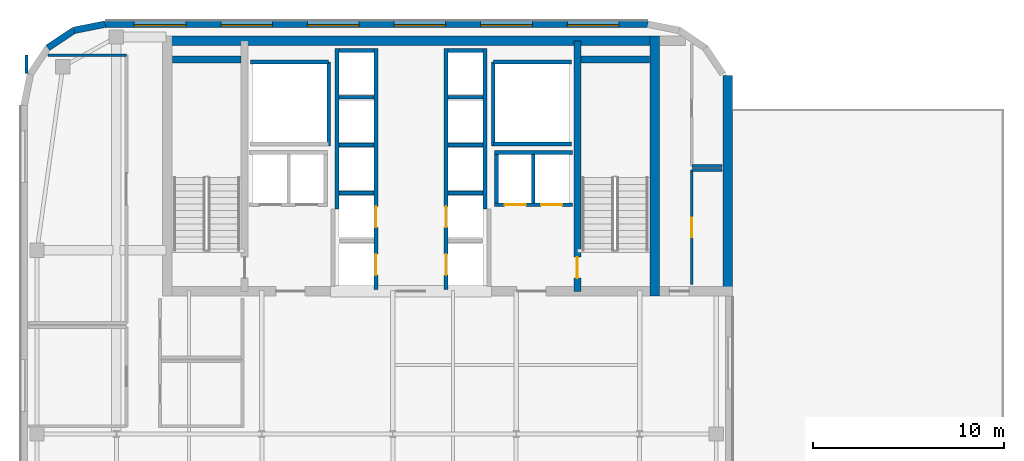
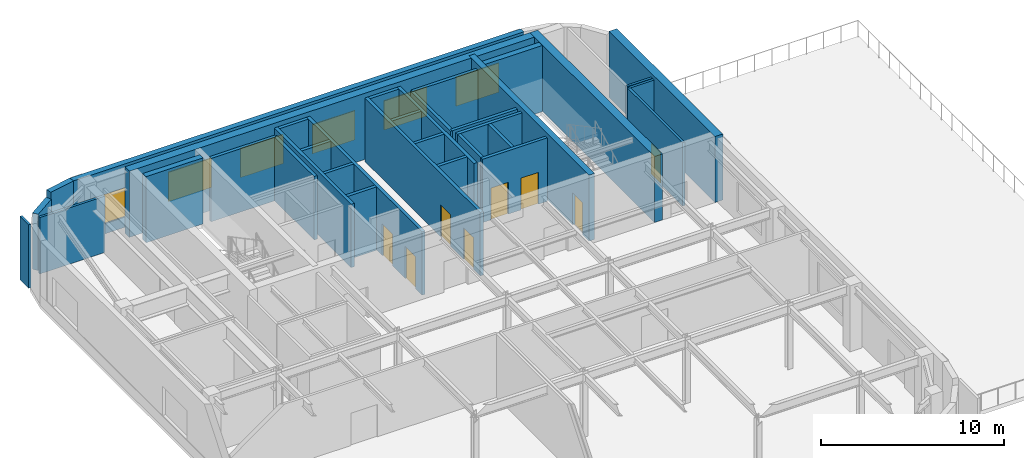
# One storey, part 5 of 10: 35 walls, 8 doors, 6 windows, 14 openings.
"""IFC4 building model written with IfcOpenShell, lengths in metres."""

from ifc_helpers import new_model, si_unit, direction, frame, frame_2d, origin, place, context, subcontext, project, spatial, rectangle, extrude, source, transform, mapped, material, layer, layer_set, type_object, type_shapes, element, fill, save


model = new_model("IFC4")

# Units and contexts
model_context = context("Model", 3, precision=1e-05, world=origin(), true_north=direction((0.0, 1.0)))
body_context = subcontext(model_context, "Body", "Model", "MODEL_VIEW")
ifc_project = project(units=[si_unit("LENGTHUNIT", "METRE"), si_unit("AREAUNIT", "SQUARE_METRE"), si_unit("VOLUMEUNIT", "CUBIC_METRE"), si_unit("PLANEANGLEUNIT", "RADIAN"), si_unit("MASSUNIT", "GRAM", prefix="KILO")], contexts=[model_context])

# Site, building, storey
site_placement = place(None, origin())
site = spatial("IfcSite", under=ifc_project, at=site_placement, CompositionType="ELEMENT")
building_placement = place(site_placement, origin())
building = spatial("IfcBuilding", under=site, at=building_placement, Name="Tolvann Quenvar Hotel", CompositionType="ELEMENT")
storey_placement = place(building_placement, frame((0.0, 0.0, 205.300048828125)))
storey = spatial("IfcBuildingStorey", under=building, at=storey_placement, Name="L54", CompositionType="ELEMENT", Elevation=205.300048828125)

# Walls
ifc_material_1 = material(Name="Concrete N50 (50 MPa)", Category="concrete")
ifc_layer_1 = layer(ifc_material_1, 0.5)
ifc_layer_set_1 = layer_set([ifc_layer_1], Name="Concrete N50 (50 MPa)")
wall_type_1 = type_object("IfcWallType", Name="WALL_CORE_500", PredefinedType="SHEAR", material=ifc_layer_set_1)
wall_1_placement = place(storey_placement, frame((10.0, 44.949951171875, 0.0), z_axis=(0.0, 0.0, 1.0), x_axis=(1.0, 0.0, 0.0)))
element("IfcWall", 1, at=wall_1_placement, inside=storey, type_object=wall_type_1, Name="Rear Core N Shear Wall (L54)", PredefinedType="SHEAR", context=body_context, shape_type="SweptSolid", body=[
    extrude(rectangle(XDim=26.0, YDim=0.5, at=frame_2d((13.0, 0.0))), origin(), (0.0, 0.0, 1.0), 4.39990234375),
])
wall_2_placement = place(storey_placement, frame((35.75, 31.60009765625, 0.0), z_axis=(0.0, 0.0, 1.0), x_axis=(0.0, 1.0, 0.0)))
element("IfcWall", 2, at=wall_2_placement, inside=storey, type_object=wall_type_1, Name="Rear Core E Shear Wall (L54)", PredefinedType="SHEAR", context=body_context, shape_type="SweptSolid", body=[
    extrude(rectangle(XDim=13.599853515625, YDim=0.5, at=frame_2d((6.7998046875, 0.0))), origin(), (0.0, 0.0, 1.0), 4.39990234375),
])
wall_3_placement = place(storey_placement, frame((39.550048828125, 31.60009765625, 0.0), z_axis=(0.0, 0.0, 1.0), x_axis=(0.0, 1.0, 0.0)))
element("IfcWall", 3, at=wall_3_placement, inside=storey, type_object=wall_type_1, Name="Core East Annex Shear Wall ANN-E (L54)", PredefinedType="SHEAR", context=body_context, shape_type="SweptSolid", body=[
    extrude(rectangle(XDim=11.5498046875, YDim=0.5, at=frame_2d((5.77490234375, 0.0))), origin(), (0.0, 0.0, 1.0), 4.39990234375),
])

# Wall, opening, door
ifc_material_2 = material(Name="Concrete S65 (65 MPa)", Category="concrete")
ifc_layer_2 = layer(ifc_material_2, 0.35009765625)
ifc_layer_set_2 = layer_set([ifc_layer_2], Name="Concrete S65 (65 MPa)")
wall_type_2 = type_object("IfcWallType", Name="WALL_CORE_INT_350", PredefinedType="SHEAR", material=ifc_layer_set_2)
wall_4_placement = place(storey_placement, frame((31.699951171875, 31.85009765625, 0.0), z_axis=(0.0, 0.0, 1.0), x_axis=(0.0, 1.0, 0.0)))
wall_4 = element("IfcWall", 4, at=wall_4_placement, inside=storey, type_object=wall_type_2, Name="Core Internal Web Shear Wall WEB-E (L54)", PredefinedType="SHEAR", context=body_context, shape_type="SweptSolid", body=[
    extrude(rectangle(XDim=13.099853515625, YDim=0.35009765625, at=frame_2d((6.5498046875, 0.0))), origin(), (0.0, 0.0, 1.0), 4.39990234375),
])
opening_1_placement = place(wall_4_placement, frame((1.800048828125, 0.0, 0.0), z_axis=(0.0, 0.0, 1.0), x_axis=(-1.0, 0.0, 0.0)))
opening_1 = element("IfcOpeningElement", 5, at=opening_1_placement, cuts=wall_4, Name="Opening FD-120", PredefinedType="OPENING", context=body_context, shape_type="SweptSolid", body=[
    extrude(rectangle(XDim=1.10009765625, YDim=2.1201171875, at=frame_2d((0.550048828125, 1.06005859375))), frame((0.0, 0.18505859375, 0.0), z_axis=(0.0, -1.0, 0.0), x_axis=(1.0, 0.0, 0.0)), (0.0, 0.0, 1.0), 0.3701171875),
])
ifc_material_3 = material(Name="Pressed galvanised steel fire-rated door set", Category="steel")
door_type_1 = type_object("IfcDoorType", Name="DOOR_FIRE_STAIR_1100", OperationType="NOTDEFINED", PredefinedType="DOOR", material=ifc_material_3)
shared_shape_1 = source(origin(), body_context, "Body", "SweptSolid", [
    extrude(rectangle(XDim=1.10009765625, YDim=2.1201171875, at=frame_2d((0.550048828125, 1.06005859375))), frame((0.0, 0.02490234375, 0.0), z_axis=(0.0, -1.0, 0.0), x_axis=(1.0, 0.0, 0.0)), (0.0, 0.0, 1.0), 0.050048828125),
])
type_shapes(door_type_1, [shared_shape_1])
door_1_placement = place(opening_1_placement, origin())
door_1 = element("IfcDoor", 6, at=door_1_placement, inside=storey, type_object=door_type_1, Name="Exit Stair ST-C2 Fire Door (L54)", OperationType="SINGLE_SWING_RIGHT", OverallHeight=2.1201171875, OverallWidth=1.10009765625, PredefinedType="DOOR", context=body_context, shape_type="MappedRepresentation", body=[
    mapped(shared_shape_1, transform((0.0, 0.0, 0.0), x_axis=(1.0, 0.0, 0.0), y_axis=(0.0, 1.0, 0.0), z_axis=(0.0, 0.0, 1.0), scale=1.0)),
])
fill(opening_1, door_1)

# Walls
for number, where, z_axis, x_axis, name in (
    (7, (10.52001953125, 43.97509765625, 0.0), (0.0, 0.0, 1.0), (1.0, 0.0, 0.0), "Core Stair North Closing Shear Wall STC1-N (L54)"),
    (8, (31.8798828125, 43.97509765625, 0.0), (0.0, 0.0, 1.0), (1.0, 0.0, 0.0), "Core Stair North Closing Shear Wall STC2-N (L54)"),
):
    element("IfcWall", number, at=place(storey_placement, frame(where, z_axis=z_axis, x_axis=x_axis)), inside=storey, type_object=wall_type_2, Name=name, PredefinedType="SHEAR", context=body_context, shape_type="SweptSolid", body=[
        extrude(rectangle(XDim=3.60009765625, YDim=0.35009765625, at=frame_2d((1.800048828125, 0.0))), origin(), (0.0, 0.0, 1.0), 4.39990234375),
    ])

# Wall, openings, windows
ifc_material_4 = material(Name="Kiln-fired red and buff architectural clay brickwork and terracotta masonry", Category="masonry")
ifc_layer_3 = layer(ifc_material_4, 0.35009765625)
ifc_layer_set_3 = layer_set([ifc_layer_3], Name="Kiln-fired red and buff architectural clay brickwork and terracotta masonry")
wall_type_3 = type_object("IfcWallType", Name="WALL_EXT_BRICK_350", PredefinedType="SOLIDWALL", material=ifc_layer_set_3)
wall_5_placement = place(storey_placement, frame((35.3828125, 45.824951171875, 0.0), z_axis=(0.0, 0.0, 1.0), x_axis=(-1.0, 0.0, 0.0)))
wall_5 = element("IfcWall", 9, at=wall_5_placement, inside=storey, type_object=wall_type_3, Name="Exterior Chicago Brick Wall L54-E14", PredefinedType="SOLIDWALL", context=body_context, shape_type="SweptSolid", body=[
    extrude(rectangle(XDim=28.36572265625, YDim=0.35009765625, at=frame_2d((14.182861328125, 0.0))), origin(), (0.0, 0.0, 1.0), 4.219970703125),
])
opening_2_placement = place(wall_5_placement, frame((1.513916015625, 0.0, 0.679931640625)))
opening_2 = element("IfcOpeningElement", 10, at=opening_2_placement, cuts=wall_5, Name="Opening W-04", PredefinedType="OPENING", context=body_context, shape_type="SweptSolid", body=[
    extrude(rectangle(XDim=2.699951171875, YDim=1.949951171875, at=frame_2d((1.35009765625, 0.97509765625))), frame((0.0, 0.18505859375, 0.0), z_axis=(0.0, -1.0, 0.0), x_axis=(1.0, 0.0, 0.0)), (0.0, 0.0, 1.0), 0.3701171875),
])
opening_3_placement = place(wall_5_placement, frame((6.041015625, 0.0, 0.679931640625)))
opening_3 = element("IfcOpeningElement", 11, at=opening_3_placement, cuts=wall_5, Name="Opening W-04", PredefinedType="OPENING", context=body_context, shape_type="SweptSolid", body=[
    extrude(rectangle(XDim=2.699951171875, YDim=1.949951171875, at=frame_2d((1.35009765625, 0.97509765625))), frame((0.0, 0.18505859375, 0.0), z_axis=(0.0, -1.0, 0.0), x_axis=(1.0, 0.0, 0.0)), (0.0, 0.0, 1.0), 0.3701171875),
])
opening_4_placement = place(wall_5_placement, frame((10.569091796875, 0.0, 0.679931640625)))
opening_4 = element("IfcOpeningElement", 12, at=opening_4_placement, cuts=wall_5, Name="Opening W-04", PredefinedType="OPENING", context=body_context, shape_type="SweptSolid", body=[
    extrude(rectangle(XDim=2.699951171875, YDim=1.949951171875, at=frame_2d((1.35009765625, 0.97509765625))), frame((0.0, 0.18505859375, 0.0), z_axis=(0.0, -1.0, 0.0), x_axis=(1.0, 0.0, 0.0)), (0.0, 0.0, 1.0), 0.3701171875),
])
opening_5_placement = place(wall_5_placement, frame((15.096923828125, 0.0, 0.679931640625)))
opening_5 = element("IfcOpeningElement", 13, at=opening_5_placement, cuts=wall_5, Name="Opening W-04", PredefinedType="OPENING", context=body_context, shape_type="SweptSolid", body=[
    extrude(rectangle(XDim=2.699951171875, YDim=1.949951171875, at=frame_2d((1.35009765625, 0.97509765625))), frame((0.0, 0.18505859375, 0.0), z_axis=(0.0, -1.0, 0.0), x_axis=(1.0, 0.0, 0.0)), (0.0, 0.0, 1.0), 0.3701171875),
])
opening_6_placement = place(wall_5_placement, frame((19.6240234375, 0.0, 0.679931640625)))
opening_6 = element("IfcOpeningElement", 14, at=opening_6_placement, cuts=wall_5, Name="Opening W-04", PredefinedType="OPENING", context=body_context, shape_type="SweptSolid", body=[
    extrude(rectangle(XDim=2.699951171875, YDim=1.949951171875, at=frame_2d((1.35009765625, 0.97509765625))), frame((0.0, 0.18505859375, 0.0), z_axis=(0.0, -1.0, 0.0), x_axis=(1.0, 0.0, 0.0)), (0.0, 0.0, 1.0), 0.3701171875),
])
opening_7_placement = place(wall_5_placement, frame((24.152099609375, 0.0, 0.679931640625)))
opening_7 = element("IfcOpeningElement", 15, at=opening_7_placement, cuts=wall_5, Name="Opening W-04", PredefinedType="OPENING", context=body_context, shape_type="SweptSolid", body=[
    extrude(rectangle(XDim=2.699951171875, YDim=1.949951171875, at=frame_2d((1.35009765625, 0.97509765625))), frame((0.0, 0.18505859375, 0.0), z_axis=(0.0, -1.0, 0.0), x_axis=(1.0, 0.0, 0.0)), (0.0, 0.0, 1.0), 0.3701171875),
])
ifc_material_5 = material(Name="Thermally broken bronze-anodised aluminium frame with double low-E glazing", Category="aluminium")
window_type = type_object("IfcWindowType", Name="WIN_STE_2700x2150", PartitioningType="TRIPLE_PANEL_HORIZONTAL", PredefinedType="WINDOW", material=ifc_material_5)
shared_shape_2 = source(origin(), body_context, "Body", "SweptSolid", [
    extrude(rectangle(XDim=2.699951171875, YDim=1.949951171875, at=frame_2d((1.35009765625, 0.97509765625))), frame((0.0, 0.090087890625, 0.0), z_axis=(0.0, -1.0, 0.0), x_axis=(1.0, 0.0, 0.0)), (0.0, 0.0, 1.0), 0.06005859375),
])
type_shapes(window_type, [shared_shape_2])
window_1_placement = place(opening_2_placement, origin())
window_1 = element("IfcWindow", 16, at=window_1_placement, inside=storey, type_object=window_type, Name="Chicago Window W-04 (EW-L54-E14-W01)", OverallHeight=1.949951171875, OverallWidth=2.699951171875, PartitioningType="TRIPLE_PANEL_HORIZONTAL", PredefinedType="WINDOW", context=body_context, shape_type="MappedRepresentation", body=[
    mapped(shared_shape_2, transform((0.0, 0.0, 0.0), x_axis=(1.0, 0.0, 0.0), y_axis=(0.0, 1.0, 0.0), z_axis=(0.0, 0.0, 1.0), scale=1.0)),
])
fill(opening_2, window_1)
window_2_placement = place(opening_3_placement, origin())
window_2 = element("IfcWindow", 17, at=window_2_placement, inside=storey, type_object=window_type, Name="Chicago Window W-04 (EW-L54-E14-W02)", OverallHeight=1.949951171875, OverallWidth=2.699951171875, PartitioningType="TRIPLE_PANEL_HORIZONTAL", PredefinedType="WINDOW", context=body_context, shape_type="MappedRepresentation", body=[
    mapped(shared_shape_2, transform((0.0, 0.0, 0.0), x_axis=(1.0, 0.0, 0.0), y_axis=(0.0, 1.0, 0.0), z_axis=(0.0, 0.0, 1.0), scale=1.0)),
])
fill(opening_3, window_2)
window_3_placement = place(opening_4_placement, origin())
window_3 = element("IfcWindow", 18, at=window_3_placement, inside=storey, type_object=window_type, Name="Chicago Window W-04 (EW-L54-E14-W03)", OverallHeight=1.949951171875, OverallWidth=2.699951171875, PartitioningType="TRIPLE_PANEL_HORIZONTAL", PredefinedType="WINDOW", context=body_context, shape_type="MappedRepresentation", body=[
    mapped(shared_shape_2, transform((0.0, 0.0, 0.0), x_axis=(1.0, 0.0, 0.0), y_axis=(0.0, 1.0, 0.0), z_axis=(0.0, 0.0, 1.0), scale=1.0)),
])
fill(opening_4, window_3)
window_4_placement = place(opening_5_placement, origin())
window_4 = element("IfcWindow", 19, at=window_4_placement, inside=storey, type_object=window_type, Name="Chicago Window W-04 (EW-L54-E14-W04)", OverallHeight=1.949951171875, OverallWidth=2.699951171875, PartitioningType="TRIPLE_PANEL_HORIZONTAL", PredefinedType="WINDOW", context=body_context, shape_type="MappedRepresentation", body=[
    mapped(shared_shape_2, transform((0.0, 0.0, 0.0), x_axis=(1.0, 0.0, 0.0), y_axis=(0.0, 1.0, 0.0), z_axis=(0.0, 0.0, 1.0), scale=1.0)),
])
fill(opening_5, window_4)
window_5_placement = place(opening_6_placement, origin())
window_5 = element("IfcWindow", 20, at=window_5_placement, inside=storey, type_object=window_type, Name="Chicago Window W-04 (EW-L54-E14-W05)", OverallHeight=1.949951171875, OverallWidth=2.699951171875, PartitioningType="TRIPLE_PANEL_HORIZONTAL", PredefinedType="WINDOW", context=body_context, shape_type="MappedRepresentation", body=[
    mapped(shared_shape_2, transform((0.0, 0.0, 0.0), x_axis=(1.0, 0.0, 0.0), y_axis=(0.0, 1.0, 0.0), z_axis=(0.0, 0.0, 1.0), scale=1.0)),
])
fill(opening_6, window_5)
window_6_placement = place(opening_7_placement, origin())
window_6 = element("IfcWindow", 21, at=window_6_placement, inside=storey, type_object=window_type, Name="Chicago Window W-04 (EW-L54-E14-W06)", OverallHeight=1.949951171875, OverallWidth=2.699951171875, PartitioningType="TRIPLE_PANEL_HORIZONTAL", PredefinedType="WINDOW", context=body_context, shape_type="MappedRepresentation", body=[
    mapped(shared_shape_2, transform((0.0, 0.0, 0.0), x_axis=(1.0, 0.0, 0.0), y_axis=(0.0, 1.0, 0.0), z_axis=(0.0, 0.0, 1.0), scale=1.0)),
])
fill(opening_7, window_6)

# Walls
wall_6_placement = place(storey_placement, frame((7.01708984375, 45.824951171875, 0.0), z_axis=(0.0, 0.0, 1.0), x_axis=(-0.980788844421, -0.195072403631, 0.0)))
element("IfcWall", 22, at=wall_6_placement, inside=storey, type_object=wall_type_3, Name="Exterior Chicago Brick Wall L54-E15", PredefinedType="SOLIDWALL", context=body_context, shape_type="SweptSolid", body=[
    extrude(rectangle(XDim=1.66455078125, YDim=0.35009765625, at=frame_2d((0.832275390625, 0.0))), origin(), (0.0, 0.0, 1.0), 4.219970703125),
])
wall_7_placement = place(storey_placement, frame((5.384521484375, 45.500244140625, 0.0), z_axis=(0.0, 0.0, 1.0), x_axis=(-0.831502623162, -0.555520825599, 0.0)))
element("IfcWall", 23, at=wall_7_placement, inside=storey, type_object=wall_type_3, Name="Exterior Chicago Brick Wall L54-E16", PredefinedType="SOLIDWALL", context=body_context, shape_type="SweptSolid", body=[
    extrude(rectangle(XDim=1.647216796875, YDim=0.35009765625, at=frame_2d((0.82373046875, 0.0))), origin(), (0.0, 0.0, 1.0), 3.75),
])
ifc_material_6 = material(Name="Acoustic twin-stud fire-rated gypsum plasterboard partition")
ifc_layer_4 = layer(ifc_material_6, 0.14990234375)
ifc_layer_set_4 = layer_set([ifc_layer_4], Name="Acoustic twin-stud fire-rated gypsum plasterboard partition")
wall_type_4 = type_object("IfcWallType", Name="WALL_PART_SUITE_150", PredefinedType="PARTITIONING", material=ifc_layer_set_4)
wall_8_placement = place(storey_placement, frame((37.679931640625, 38.199951171875, 0.0), z_axis=(0.0, 0.0, 1.0), x_axis=(1.0, 0.0, 0.0)))
element("IfcWall", 24, at=wall_8_placement, inside=storey, type_object=wall_type_4, Name="Interior Partition PT-SPC-L54-RECPL-1-N", PredefinedType="PARTITIONING", context=body_context, shape_type="SweptSolid", body=[
    extrude(rectangle(XDim=1.565185546875, YDim=0.14990234375, at=frame_2d((0.78271484375, 0.0))), origin(), (0.0, 0.0, 1.0), 4.219970703125),
])

# Wall, opening, door
wall_9_placement = place(storey_placement, frame((37.679931640625, 32.199951171875, 0.0), z_axis=(0.0, 0.0, 1.0), x_axis=(0.0, 1.0, 0.0)))
wall_9 = element("IfcWall", 25, at=wall_9_placement, inside=storey, type_object=wall_type_4, Name="Interior Partition PT-SPC-L54-RECPL-1-W", PredefinedType="PARTITIONING", context=body_context, shape_type="SweptSolid", body=[
    extrude(rectangle(XDim=6.0, YDim=0.14990234375, at=frame_2d((3.0, 0.0))), origin(), (0.0, 0.0, 1.0), 4.219970703125),
])
opening_8_placement = place(wall_9_placement, frame((2.489990234375, 0.0, 0.0)))
opening_8 = element("IfcOpeningElement", 26, at=opening_8_placement, cuts=wall_9, Name="Opening HD-01", PredefinedType="OPENING", context=body_context, shape_type="SweptSolid", body=[
    extrude(rectangle(XDim=1.02001953125, YDim=2.030029296875, at=frame_2d((0.510009765625, 1.01513671875))), frame((0.0, 0.0849609375, 0.0), z_axis=(0.0, -1.0, 0.0), x_axis=(1.0, 0.0, 0.0)), (0.0, 0.0, 1.0), 0.169921875),
])
door_type_2 = type_object("IfcDoorType", Name="DOOR_BOH_1020", OperationType="NOTDEFINED", PredefinedType="DOOR", material=ifc_material_3)
shared_shape_3 = source(origin(), body_context, "Body", "SweptSolid", [
    extrude(rectangle(XDim=1.02001953125, YDim=2.030029296875, at=frame_2d((0.510009765625, 1.01513671875))), frame((0.0, 0.02490234375, 0.0), z_axis=(0.0, -1.0, 0.0), x_axis=(1.0, 0.0, 0.0)), (0.0, 0.0, 1.0), 0.050048828125),
])
type_shapes(door_type_2, [shared_shape_3])
door_2_placement = place(opening_8_placement, origin())
door_2 = element("IfcDoor", 27, at=door_2_placement, inside=storey, type_object=door_type_2, Name="Interior Door DOOR-SPC-L54-RECPL-1", OperationType="SINGLE_SWING_RIGHT", OverallHeight=2.030029296875, OverallWidth=1.02001953125, PredefinedType="DOOR", context=body_context, shape_type="MappedRepresentation", body=[
    mapped(shared_shape_3, transform((0.0, 0.0, 0.0), x_axis=(1.0, 0.0, 0.0), y_axis=(0.0, 1.0, 0.0), z_axis=(0.0, 0.0, 1.0), scale=1.0)),
])
fill(opening_8, door_2)

# Walls
wall_10_placement = place(storey_placement, frame((37.679931640625, 38.39990234375, 0.0), z_axis=(0.0, 0.0, 1.0), x_axis=(1.0, 0.0, 0.0)))
element("IfcWall", 28, at=wall_10_placement, inside=storey, type_object=wall_type_4, Name="Interior Partition PT-SPC-L54-CSE-1-S", PredefinedType="PARTITIONING", context=body_context, shape_type="SweptSolid", body=[
    extrude(rectangle(XDim=1.565185546875, YDim=0.14990234375, at=frame_2d((0.78271484375, 0.0))), origin(), (0.0, 0.0, 1.0), 4.219970703125),
])
wall_11_placement = place(storey_placement, frame((4.033935546875, 44.199951171875, 0.0), z_axis=(0.0, 0.0, 1.0), x_axis=(1.0, 0.0, 0.0)))
element("IfcWall", 29, at=wall_11_placement, inside=storey, type_object=wall_type_4, Name="Interior Partition PT-SPC-L54-VIP-N", PredefinedType="PARTITIONING", context=body_context, shape_type="SweptSolid", body=[
    extrude(rectangle(XDim=4.086181640625, YDim=0.14990234375, at=frame_2d((2.04296875, 0.0))), origin(), (0.0, 0.0, 1.0), 3.75),
])
wall_12_placement = place(storey_placement, frame((2.89990234375, 43.2548828125, 0.0), z_axis=(0.0, 0.0, 1.0), x_axis=(0.0, 1.0, 0.0)))
element("IfcWall", 30, at=wall_12_placement, inside=storey, type_object=wall_type_4, Name="Interior Partition PT-SPC-L54-VIP-W", PredefinedType="PARTITIONING", context=body_context, shape_type="SweptSolid", body=[
    extrude(rectangle(XDim=0.945068359375, YDim=0.14990234375, at=frame_2d((0.47265625, 0.0))), origin(), (0.0, 0.0, 1.0), 4.219970703125),
])
ifc_material_7 = material(Name="Concrete N40 (40 MPa)", Category="concrete")
ifc_layer_5 = layer(ifc_material_7, 0.199951171875)
ifc_layer_set_5 = layer_set([ifc_layer_5], Name="Concrete N40 (40 MPa)")
wall_type_5 = type_object("IfcWallType", Name="WALL_SHAFT_200", PredefinedType="SOLIDWALL", material=ifc_layer_set_5)
wall_13_placement = place(storey_placement, frame((18.699951171875, 39.449951171875, 0.0), z_axis=(0.0, 0.0, 1.0), x_axis=(0.0, 1.0, 0.0)))
element("IfcWall", 31, at=wall_13_placement, inside=storey, type_object=wall_type_5, Name="Service Riser W Shaft Wall IN (L54)", PredefinedType="SOLIDWALL", context=body_context, shape_type="SweptSolid", body=[
    extrude(rectangle(XDim=4.400146484375, YDim=0.199951171875, at=frame_2d((2.2001953125, 0.0))), origin(), (0.0, 0.0, 1.0), 4.219970703125),
])
wall_14_placement = place(storey_placement, frame((14.60009765625, 43.85009765625, 0.0), z_axis=(0.0, 0.0, 1.0), x_axis=(1.0, 0.0, 0.0)))
element("IfcWall", 32, at=wall_14_placement, inside=storey, type_object=wall_type_5, Name="Service Riser W Shaft Wall N (L54)", PredefinedType="SOLIDWALL", context=body_context, shape_type="SweptSolid", body=[
    extrude(rectangle(XDim=4.099853515625, YDim=0.199951171875, at=frame_2d((2.0498046875, 0.0))), origin(), (0.0, 0.0, 1.0), 4.219970703125),
])
wall_15_placement = place(storey_placement, frame((27.300048828125, 39.449951171875, 0.0), z_axis=(0.0, 0.0, 1.0), x_axis=(0.0, 1.0, 0.0)))
element("IfcWall", 33, at=wall_15_placement, inside=storey, type_object=wall_type_5, Name="Service Riser E Shaft Wall IN (L54)", PredefinedType="SOLIDWALL", context=body_context, shape_type="SweptSolid", body=[
    extrude(rectangle(XDim=4.400146484375, YDim=0.199951171875, at=frame_2d((2.2001953125, 0.0))), origin(), (0.0, 0.0, 1.0), 4.219970703125),
])
for number, where, z_axis, x_axis, name in (
    (34, (27.300048828125, 39.550048828125, 0.0), (0.0, 0.0, 1.0), (1.0, 0.0, 0.0), "Service Riser E Shaft Wall S (L54)"),
    (35, (27.300048828125, 43.85009765625, 0.0), (0.0, 0.0, 1.0), (1.0, 0.0, 0.0), "Service Riser E Shaft Wall N (L54)"),
):
    element("IfcWall", number, at=place(storey_placement, frame(where, z_axis=z_axis, x_axis=x_axis)), inside=storey, type_object=wall_type_5, Name=name, PredefinedType="SOLIDWALL", context=body_context, shape_type="SweptSolid", body=[
        extrude(rectangle(XDim=4.099853515625, YDim=0.199951171875, at=frame_2d((2.0498046875, 0.0))), origin(), (0.0, 0.0, 1.0), 4.219970703125),
    ])

# Wall, openings, doors
wall_16_placement = place(storey_placement, frame((21.169921875, 31.9599609375, 0.0), z_axis=(0.0, 0.0, 1.0), x_axis=(0.0, 1.0, 0.0)))
wall_16 = element("IfcWall", 36, at=wall_16_placement, inside=storey, type_object=wall_type_5, Name="Lift Bank E21.1C1 Hoistway Front Wall (L54)", PredefinedType="SOLIDWALL", context=body_context, shape_type="SweptSolid", body=[
    extrude(rectangle(XDim=12.580078125, YDim=0.199951171875, at=frame_2d((6.2900390625, 0.0))), origin(), (0.0, 0.0, 1.0), 4.219970703125),
])
opening_9_placement = place(wall_16_placement, frame((0.739990234375, 0.0, 0.0)))
opening_9 = element("IfcOpeningElement", 37, at=opening_9_placement, cuts=wall_16, Name="Opening LD-01", PredefinedType="OPENING", context=body_context, shape_type="SweptSolid", body=[
    extrude(rectangle(XDim=1.10009765625, YDim=2.1201171875, at=frame_2d((0.550048828125, 1.06005859375))), frame((0.0, 0.10986328125, 0.0), z_axis=(0.0, -1.0, 0.0), x_axis=(1.0, 0.0, 0.0)), (0.0, 0.0, 1.0), 0.219970703125),
])
opening_10_placement = place(wall_16_placement, frame((3.239990234375, 0.0, 0.0)))
opening_10 = element("IfcOpeningElement", 38, at=opening_10_placement, cuts=wall_16, Name="Opening LD-01", PredefinedType="OPENING", context=body_context, shape_type="SweptSolid", body=[
    extrude(rectangle(XDim=1.10009765625, YDim=2.1201171875, at=frame_2d((0.550048828125, 1.06005859375))), frame((0.0, 0.10986328125, 0.0), z_axis=(0.0, -1.0, 0.0), x_axis=(1.0, 0.0, 0.0)), (0.0, 0.0, 1.0), 0.219970703125),
])
ifc_material_8 = material(Name="Brushed 316 stainless steel automatic sliding lift landing door", Category="steel")
door_type_3 = type_object("IfcDoorType", Name="DOOR_LIFT_SLIDE_1100", OperationType="NOTDEFINED", PredefinedType="DOOR", material=ifc_material_8)
shared_shape_4 = source(origin(), body_context, "Body", "SweptSolid", [
    extrude(rectangle(XDim=1.10009765625, YDim=2.1201171875, at=frame_2d((0.550048828125, 1.06005859375))), frame((0.0, 0.02490234375, 0.0), z_axis=(0.0, -1.0, 0.0), x_axis=(1.0, 0.0, 0.0)), (0.0, 0.0, 1.0), 0.050048828125),
])
type_shapes(door_type_3, [shared_shape_4])
door_3_placement = place(opening_9_placement, origin())
door_3 = element("IfcDoor", 39, at=door_3_placement, inside=storey, type_object=door_type_3, Name="Lift PH-1 Sliding Landing Door (L54)", OperationType="SLIDING_TO_LEFT", OverallHeight=2.1201171875, OverallWidth=1.10009765625, PredefinedType="DOOR", context=body_context, shape_type="MappedRepresentation", body=[
    mapped(shared_shape_4, transform((0.0, 0.0, 0.0), x_axis=(1.0, 0.0, 0.0), y_axis=(0.0, 1.0, 0.0), z_axis=(0.0, 0.0, 1.0), scale=1.0)),
])
fill(opening_9, door_3)
door_4_placement = place(opening_10_placement, origin())
door_4 = element("IfcDoor", 40, at=door_4_placement, inside=storey, type_object=door_type_3, Name="Lift PH-2 Sliding Landing Door (L54)", OperationType="SLIDING_TO_RIGHT", OverallHeight=2.1201171875, OverallWidth=1.10009765625, PredefinedType="DOOR", context=body_context, shape_type="MappedRepresentation", body=[
    mapped(shared_shape_4, transform((0.0, 0.0, 0.0), x_axis=(1.0, 0.0, 0.0), y_axis=(0.0, 1.0, 0.0), z_axis=(0.0, 0.0, 1.0), scale=1.0)),
])
fill(opening_10, door_4)

# Walls
wall_17_placement = place(storey_placement, frame((19.1298828125, 36.159912109375, 0.0), z_axis=(0.0, 0.0, 1.0), x_axis=(0.0, 1.0, 0.0)))
element("IfcWall", 41, at=wall_17_placement, inside=storey, type_object=wall_type_5, Name="Lift Bank E21.1C1 Hoistway Rear Wall (L54)", PredefinedType="SOLIDWALL", context=body_context, shape_type="SweptSolid", body=[
    extrude(rectangle(XDim=8.380126953125, YDim=0.199951171875, at=frame_2d((4.18994140625, 0.0))), origin(), (0.0, 0.0, 1.0), 4.219970703125),
])
for number, where, z_axis, x_axis, name in (
    (42, (19.22998046875, 44.43994140625, 0.0), (0.0, 0.0, 1.0), (1.0, 0.0, 0.0), "Lift Bank E21.1C1 Hoistway Cheek Wall 2 (L54)"),
    (43, (19.22998046875, 37.0, 0.0), (0.0, 0.0, 1.0), (1.0, 0.0, 0.0), "Lift Bank E21.1C1 Divider Wall 2 (L54)"),
    (44, (19.22998046875, 39.5, 0.0), (0.0, 0.0, 1.0), (1.0, 0.0, 0.0), "Lift Bank E21.1C1 Divider Wall 3 (L54)"),
    (45, (19.22998046875, 42.0, 0.0), (0.0, 0.0, 1.0), (1.0, 0.0, 0.0), "Lift Bank E21.1C1 Divider Wall 4 (L54)"),
):
    element("IfcWall", number, at=place(storey_placement, frame(where, z_axis=z_axis, x_axis=x_axis)), inside=storey, type_object=wall_type_5, Name=name, PredefinedType="SOLIDWALL", context=body_context, shape_type="SweptSolid", body=[
        extrude(rectangle(XDim=1.840087890625, YDim=0.199951171875, at=frame_2d((0.919921875, 0.0))), origin(), (0.0, 0.0, 1.0), 4.219970703125),
    ])

# Wall, openings, doors
wall_18_placement = place(storey_placement, frame((27.375, 36.3798828125, 0.0), z_axis=(0.0, 0.0, 1.0), x_axis=(1.0, 0.0, 0.0)))
wall_18 = element("IfcWall", 46, at=wall_18_placement, inside=storey, type_object=wall_type_5, Name="Lift Bank SEC1 Hoistway Front Wall (L54)", PredefinedType="SOLIDWALL", context=body_context, shape_type="SweptSolid", body=[
    extrude(rectangle(XDim=4.074951171875, YDim=0.199951171875, at=frame_2d((2.03759765625, 0.0))), origin(), (0.0, 0.0, 1.0), 4.219970703125),
])
opening_11_placement = place(wall_18_placement, frame((0.52490234375, 0.0, 0.0)))
opening_11 = element("IfcOpeningElement", 47, at=opening_11_placement, cuts=wall_18, Name="Opening LD-01", PredefinedType="OPENING", context=body_context, shape_type="SweptSolid", body=[
    extrude(rectangle(XDim=1.10009765625, YDim=2.1201171875, at=frame_2d((0.550048828125, 1.06005859375))), frame((0.0, 0.10986328125, 0.0), z_axis=(0.0, -1.0, 0.0), x_axis=(1.0, 0.0, 0.0)), (0.0, 0.0, 1.0), 0.219970703125),
])
opening_12_placement = place(wall_18_placement, frame((2.425048828125, 0.0, 0.0)))
opening_12 = element("IfcOpeningElement", 48, at=opening_12_placement, cuts=wall_18, Name="Opening LD-01", PredefinedType="OPENING", context=body_context, shape_type="SweptSolid", body=[
    extrude(rectangle(XDim=1.10009765625, YDim=2.1201171875, at=frame_2d((0.550048828125, 1.06005859375))), frame((0.0, 0.10986328125, 0.0), z_axis=(0.0, -1.0, 0.0), x_axis=(1.0, 0.0, 0.0)), (0.0, 0.0, 1.0), 0.219970703125),
])
door_5_placement = place(opening_11_placement, origin())
door_5 = element("IfcDoor", 49, at=door_5_placement, inside=storey, type_object=door_type_3, Name="Lift SV-2 Sliding Landing Door (L54)", OperationType="SLIDING_TO_LEFT", OverallHeight=2.1201171875, OverallWidth=1.10009765625, PredefinedType="DOOR", context=body_context, shape_type="MappedRepresentation", body=[
    mapped(shared_shape_4, transform((0.0, 0.0, 0.0), x_axis=(1.0, 0.0, 0.0), y_axis=(0.0, 1.0, 0.0), z_axis=(0.0, 0.0, 1.0), scale=1.0)),
])
fill(opening_11, door_5)
door_6_placement = place(opening_12_placement, origin())
door_6 = element("IfcDoor", 50, at=door_6_placement, inside=storey, type_object=door_type_3, Name="Lift FF-2 Sliding Landing Door (L54)", OperationType="SLIDING_TO_RIGHT", OverallHeight=2.1201171875, OverallWidth=1.10009765625, PredefinedType="DOOR", context=body_context, shape_type="MappedRepresentation", body=[
    mapped(shared_shape_4, transform((0.0, 0.0, 0.0), x_axis=(1.0, 0.0, 0.0), y_axis=(0.0, 1.0, 0.0), z_axis=(0.0, 0.0, 1.0), scale=1.0)),
])
fill(opening_12, door_6)

# Walls
wall_19_placement = place(storey_placement, frame((27.375, 39.1201171875, 0.0), z_axis=(0.0, 0.0, 1.0), x_axis=(1.0, 0.0, 0.0)))
element("IfcWall", 51, at=wall_19_placement, inside=storey, type_object=wall_type_5, Name="Lift Bank SEC1 Hoistway Rear Wall (L54)", PredefinedType="SOLIDWALL", context=body_context, shape_type="SweptSolid", body=[
    extrude(rectangle(XDim=4.074951171875, YDim=0.199951171875, at=frame_2d((2.03759765625, 0.0))), origin(), (0.0, 0.0, 1.0), 4.219970703125),
])
for number, where, z_axis, x_axis, name in (
    (52, (27.47509765625, 36.47998046875, 0.0), (0.0, 0.0, 1.0), (0.0, 1.0, 0.0), "Lift Bank SEC1 Hoistway Cheek Wall 1 (L54)"),
    (53, (29.387451171875, 36.47998046875, 0.0), (0.0, 0.0, 1.0), (0.0, 1.0, 0.0), "Lift Bank SEC1 Divider Wall 1 (L54)"),
):
    element("IfcWall", number, at=place(storey_placement, frame(where, z_axis=z_axis, x_axis=x_axis)), inside=storey, type_object=wall_type_5, Name=name, PredefinedType="SOLIDWALL", context=body_context, shape_type="SweptSolid", body=[
        extrude(rectangle(XDim=2.5400390625, YDim=0.199951171875, at=frame_2d((1.27001953125, 0.0))), origin(), (0.0, 0.0, 1.0), 4.219970703125),
    ])

# Wall, openings, doors
wall_20_placement = place(storey_placement, frame((24.830078125, 31.9599609375, 0.0), z_axis=(0.0, 0.0, 1.0), x_axis=(0.0, 1.0, 0.0)))
wall_20 = element("IfcWall", 54, at=wall_20_placement, inside=storey, type_object=wall_type_5, Name="Lift Bank W24.9C1 Hoistway Front Wall (L54)", PredefinedType="SOLIDWALL", context=body_context, shape_type="SweptSolid", body=[
    extrude(rectangle(XDim=12.580078125, YDim=0.199951171875, at=frame_2d((6.2900390625, 0.0))), origin(), (0.0, 0.0, 1.0), 4.219970703125),
])
opening_13_placement = place(wall_20_placement, frame((0.739990234375, 0.0, 0.0)))
opening_13 = element("IfcOpeningElement", 55, at=opening_13_placement, cuts=wall_20, Name="Opening LD-01", PredefinedType="OPENING", context=body_context, shape_type="SweptSolid", body=[
    extrude(rectangle(XDim=1.10009765625, YDim=2.1201171875, at=frame_2d((0.550048828125, 1.06005859375))), frame((0.0, 0.10986328125, 0.0), z_axis=(0.0, -1.0, 0.0), x_axis=(1.0, 0.0, 0.0)), (0.0, 0.0, 1.0), 0.219970703125),
])
opening_14_placement = place(wall_20_placement, frame((3.239990234375, 0.0, 0.0)))
opening_14 = element("IfcOpeningElement", 56, at=opening_14_placement, cuts=wall_20, Name="Opening LD-01", PredefinedType="OPENING", context=body_context, shape_type="SweptSolid", body=[
    extrude(rectangle(XDim=1.10009765625, YDim=2.1201171875, at=frame_2d((0.550048828125, 1.06005859375))), frame((0.0, 0.10986328125, 0.0), z_axis=(0.0, -1.0, 0.0), x_axis=(1.0, 0.0, 0.0)), (0.0, 0.0, 1.0), 0.219970703125),
])
door_7_placement = place(opening_13_placement, origin())
door_7 = element("IfcDoor", 57, at=door_7_placement, inside=storey, type_object=door_type_3, Name="Lift PH-3 Sliding Landing Door (L54)", OperationType="SLIDING_TO_LEFT", OverallHeight=2.1201171875, OverallWidth=1.10009765625, PredefinedType="DOOR", context=body_context, shape_type="MappedRepresentation", body=[
    mapped(shared_shape_4, transform((0.0, 0.0, 0.0), x_axis=(1.0, 0.0, 0.0), y_axis=(0.0, 1.0, 0.0), z_axis=(0.0, 0.0, 1.0), scale=1.0)),
])
fill(opening_13, door_7)
door_8_placement = place(opening_14_placement, origin())
door_8 = element("IfcDoor", 58, at=door_8_placement, inside=storey, type_object=door_type_3, Name="Lift PH-4 Sliding Landing Door (L54)", OperationType="SLIDING_TO_RIGHT", OverallHeight=2.1201171875, OverallWidth=1.10009765625, PredefinedType="DOOR", context=body_context, shape_type="MappedRepresentation", body=[
    mapped(shared_shape_4, transform((0.0, 0.0, 0.0), x_axis=(1.0, 0.0, 0.0), y_axis=(0.0, 1.0, 0.0), z_axis=(0.0, 0.0, 1.0), scale=1.0)),
])
fill(opening_14, door_8)

# Walls
wall_21_placement = place(storey_placement, frame((26.8701171875, 36.159912109375, 0.0), z_axis=(0.0, 0.0, 1.0), x_axis=(0.0, 1.0, 0.0)))
element("IfcWall", 59, at=wall_21_placement, inside=storey, type_object=wall_type_5, Name="Lift Bank W24.9C1 Hoistway Rear Wall (L54)", PredefinedType="SOLIDWALL", context=body_context, shape_type="SweptSolid", body=[
    extrude(rectangle(XDim=8.380126953125, YDim=0.199951171875, at=frame_2d((4.18994140625, 0.0))), origin(), (0.0, 0.0, 1.0), 4.219970703125),
])
for number, where, z_axis, x_axis, name in (
    (60, (24.929931640625, 44.43994140625, 0.0), (0.0, 0.0, 1.0), (1.0, 0.0, 0.0), "Lift Bank W24.9C1 Hoistway Cheek Wall 2 (L54)"),
    (61, (24.929931640625, 37.0, 0.0), (0.0, 0.0, 1.0), (1.0, 0.0, 0.0), "Lift Bank W24.9C1 Divider Wall 2 (L54)"),
    (62, (24.929931640625, 39.5, 0.0), (0.0, 0.0, 1.0), (1.0, 0.0, 0.0), "Lift Bank W24.9C1 Divider Wall 3 (L54)"),
    (63, (24.929931640625, 42.0, 0.0), (0.0, 0.0, 1.0), (1.0, 0.0, 0.0), "Lift Bank W24.9C1 Divider Wall 4 (L54)"),
):
    element("IfcWall", number, at=place(storey_placement, frame(where, z_axis=z_axis, x_axis=x_axis)), inside=storey, type_object=wall_type_5, Name=name, PredefinedType="SOLIDWALL", context=body_context, shape_type="SweptSolid", body=[
        extrude(rectangle(XDim=1.840087890625, YDim=0.199951171875, at=frame_2d((0.919921875, 0.0))), origin(), (0.0, 0.0, 1.0), 4.219970703125),
    ])

save(model, "model.ifc")
